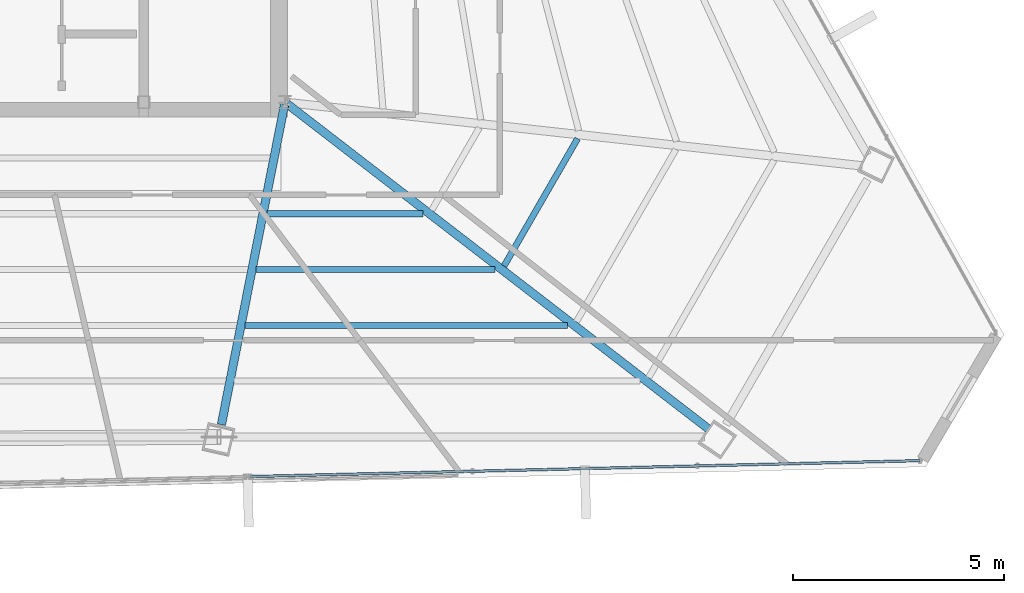
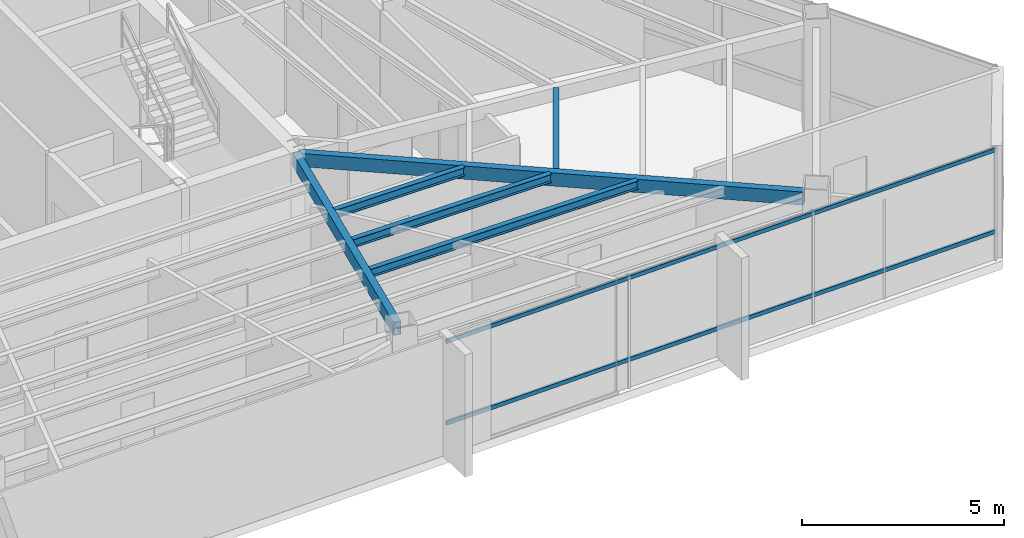
# One storey, part 20 of 44: 6 beams, 2 members, 1 element without a shape of its own.
"""IFC4 building model written with IfcOpenShell, lengths in metres."""

from ifc_helpers import new_model, si_unit, direction, frame, origin, origin_2d, place, context, subcontext, project, spatial, hollow_rectangle, i_section, extrude, source, transform, mapped, material, material_profile, profile_set, type_object, type_shapes, element, aggregate, save


model = new_model("IFC4")

# Units and contexts
model_context = context("Model", 3, precision=1e-05, world=origin(), true_north=direction((0.0, 1.0)))
body_context = subcontext(model_context, "Body", "Model", "MODEL_VIEW")
ifc_project = project(units=[si_unit("LENGTHUNIT", "METRE"), si_unit("AREAUNIT", "SQUARE_METRE"), si_unit("VOLUMEUNIT", "CUBIC_METRE"), si_unit("PLANEANGLEUNIT", "RADIAN"), si_unit("MASSUNIT", "GRAM", prefix="KILO")], contexts=[model_context])

# Site, building, storey
site_placement = place(None, origin())
site = spatial("IfcSite", under=ifc_project, at=site_placement, CompositionType="ELEMENT")
building_placement = place(site_placement, origin())
building = spatial("IfcBuilding", under=site, at=building_placement, Name="Caelisora Broadcast Tower", CompositionType="ELEMENT")
storey_placement = place(building_placement, frame((0.0, 0.0, 259.050048828125)))
storey = spatial("IfcBuildingStorey", under=building, at=storey_placement, Name="L68", CompositionType="ELEMENT", Elevation=259.050048828125)

# Beams
ifc_material_1 = material(Name="Steel Grade 350 (AS/NZS 1163 C350L0)", Category="steel")
ifc_material_profile_1 = material_profile(ifc_material_1, hollow_rectangle(XDim=0.199951171875, YDim=0.39990234375, WallThickness=0.012451171875, at=origin_2d()), Name="Steel Grade 350 (AS/NZS 1163 C350L0)")
ifc_profile_set_1 = profile_set([ifc_material_profile_1], Name="Steel Grade 350 (AS/NZS 1163 C350L0)")
beam_type_1 = type_object("IfcBeamType", Name="PG07", PredefinedType="BEAM", material=ifc_profile_set_1)
shared_shape_1 = source(origin(), body_context, "Body", "SweptSolid", [
    extrude(hollow_rectangle(XDim=0.199951171875, YDim=0.39990234375, WallThickness=0.012451171875, at=origin_2d()), origin(), (0.0, 0.0, 1.0), 12.64794921875),
])
beam_1_placement = place(storey_placement, frame((45.547607421875, 17.36328125, 3.199951171875), z_axis=(0.791833996514, -0.610736376815, 0.0), x_axis=(0.610736376815, 0.791833996514, 0.0)))
element("IfcBeam", 1, at=beam_1_placement, inside=storey, type_object=beam_type_1, Name="L68 beam PG07", PredefinedType="BEAM", context=body_context, shape_type="MappedRepresentation", body=[
    mapped(shared_shape_1, transform((0.0, 0.0, 0.0), scale=1.0)),
])
shared_shape_2 = source(origin(), body_context, "Body", "SweptSolid", [
    extrude(hollow_rectangle(XDim=0.199951171875, YDim=0.39990234375, WallThickness=0.012451171875, at=origin_2d()), origin(), (0.0, 0.0, 1.0), 7.73828125),
])
type_shapes(beam_type_1, [shared_shape_1, shared_shape_2])
beam_2_placement = place(storey_placement, frame((45.48828125, 17.341064453125, 3.199951171875), z_axis=(-0.193555117435, -0.981089402916, 0.0), x_axis=(0.981089402916, -0.193555117435, 0.0)))
element("IfcBeam", 2, at=beam_2_placement, inside=storey, type_object=beam_type_1, Name="L68 beam PG07", PredefinedType="BEAM", context=body_context, shape_type="MappedRepresentation", body=[
    mapped(shared_shape_2, transform((0.0, 0.0, 0.0), scale=1.0)),
])
ifc_material_2 = material(Name="Steel Grade 350 (AS/NZS 3679.1)", Category="steel")
ifc_material_profile_2 = material_profile(ifc_material_2, i_section(OverallWidth=0.14599609375, OverallDepth=0.256103515625, WebThickness=0.00634765625, FlangeThickness=0.010986328125, at=origin_2d()), Name="Steel Grade 350 (AS/NZS 3679.1)")
ifc_profile_set_2 = profile_set([ifc_material_profile_2], Name="Steel Grade 350 (AS/NZS 3679.1)")
beam_type_2 = type_object("IfcBeamType", Name="SB04", PredefinedType="JOIST", material=ifc_profile_set_2)
shared_shape_3 = source(origin(), body_context, "Body", "SweptSolid", [
    extrude(i_section(OverallWidth=0.14599609375, OverallDepth=0.256103515625, WebThickness=0.00634765625, FlangeThickness=0.010986328125, at=origin_2d()), origin(), (0.0, 0.0, 1.0), 3.491455078125),
])
beam_3_placement = place(storey_placement, frame((50.6982421875, 13.51318359375, 3.27197265625), z_axis=(0.500027108417, 0.866009752167, 0.0), x_axis=(-0.866009752167, 0.500027108417, 0.0)))
element("IfcBeam", 3, at=beam_3_placement, inside=storey, type_object=beam_type_2, Name="L68 beam SB04", PredefinedType="JOIST", context=body_context, shape_type="MappedRepresentation", body=[
    mapped(shared_shape_3, transform((0.0, 0.0, 0.0), scale=1.0)),
])
shared_shape_4 = source(origin(), body_context, "Body", "SweptSolid", [
    extrude(i_section(OverallWidth=0.14599609375, OverallDepth=0.256103515625, WebThickness=0.00634765625, FlangeThickness=0.010986328125, at=origin_2d()), origin(), (0.0, 0.0, 1.0), 3.69580078125),
])
beam_4_placement = place(storey_placement, frame((45.076416015625, 14.752197265625, 3.27197265625), z_axis=(1.0, 0.0, 0.0), x_axis=(0.0, 1.0, 0.0)))
element("IfcBeam", 4, at=beam_4_placement, inside=storey, type_object=beam_type_2, Name="L68 beam SB04", PredefinedType="JOIST", context=body_context, shape_type="MappedRepresentation", body=[
    mapped(shared_shape_4, transform((0.0, 0.0, 0.0), scale=1.0)),
])
shared_shape_5 = source(origin(), body_context, "Body", "SweptSolid", [
    extrude(i_section(OverallWidth=0.14599609375, OverallDepth=0.256103515625, WebThickness=0.00634765625, FlangeThickness=0.010986328125, at=origin_2d()), origin(), (0.0, 0.0, 1.0), 5.67333984375),
])
beam_5_placement = place(storey_placement, frame((44.815185546875, 13.42822265625, 3.27197265625), z_axis=(1.0, 0.0, 0.0), x_axis=(0.0, 1.0, 0.0)))
element("IfcBeam", 5, at=beam_5_placement, inside=storey, type_object=beam_type_2, Name="L68 beam SB04", PredefinedType="JOIST", context=body_context, shape_type="MappedRepresentation", body=[
    mapped(shared_shape_5, transform((0.0, 0.0, 0.0), scale=1.0)),
])
shared_shape_6 = source(origin(), body_context, "Body", "SweptSolid", [
    extrude(i_section(OverallWidth=0.14599609375, OverallDepth=0.256103515625, WebThickness=0.00634765625, FlangeThickness=0.010986328125, at=origin_2d()), origin(), (0.0, 0.0, 1.0), 7.65087890625),
])
type_shapes(beam_type_2, [shared_shape_3, shared_shape_4, shared_shape_5, shared_shape_6])
beam_6_placement = place(storey_placement, frame((44.55419921875, 12.1044921875, 3.27197265625), z_axis=(1.0, 0.0, 0.0), x_axis=(0.0, 1.0, 0.0)))
element("IfcBeam", 6, at=beam_6_placement, inside=storey, type_object=beam_type_2, Name="L68 beam SB04", PredefinedType="JOIST", context=body_context, shape_type="MappedRepresentation", body=[
    mapped(shared_shape_6, transform((0.0, 0.0, 0.0), scale=1.0)),
])

# Curtain wall, members
ifc_material_3 = material(Name="Unitised Aluminium and Low-E Glass Curtain Wall", Category="glass")
curtain_wall_type = type_object("IfcCurtainWallType", Name="CW-Z5", PredefinedType="NOTDEFINED", material=ifc_material_3)
curtain_wall_placement = place(storey_placement, origin())
curtain_wall = element("IfcCurtainWall", 7, at=curtain_wall_placement, inside=storey, type_object=curtain_wall_type, Name="L68 curtain wall CW-Z5", PredefinedType="NOTDEFINED")
ifc_material_4 = material(Name="Aluminium 6063-T6 Anodised Terracotta Bronze", Category="aluminium")
ifc_material_profile_3 = material_profile(ifc_material_4, hollow_rectangle(XDim=0.06005859375, YDim=0.1201171875, WallThickness=0.0029296875, at=origin_2d()), Name="Aluminium 6063-T6 Anodised Terracotta Bronze")
ifc_profile_set_3 = profile_set([ifc_material_profile_3], Name="Aluminium 6063-T6 Anodised Terracotta Bronze")
member_type = type_object("IfcMemberType", Name="CWT-03", PredefinedType="USERDEFINED", material=ifc_profile_set_3)
shared_shape_7 = source(origin(), body_context, "Body", "SweptSolid", [
    extrude(hollow_rectangle(XDim=0.06005859375, YDim=0.1201171875, WallThickness=0.0029296875, at=origin_2d()), origin(), (0.0, 0.0, 1.0), 15.9111328125),
])
type_shapes(member_type, [shared_shape_7])
member_1_placement = place(storey_placement, frame((60.573974609375, 8.893798828125, 0.849853515625), z_axis=(-0.999718236404, -0.023737055464, 0.0), x_axis=(0.023737055464, -0.999718236404, 0.0)))
member_1 = element("IfcMember", 8, at=member_1_placement, type_object=member_type, Name="L68-CW-B05 transom #1", ObjectType="TRANSOM", PredefinedType="USERDEFINED", context=body_context, shape_type="MappedRepresentation", body=[
    mapped(shared_shape_7, transform((0.0, 0.0, 0.0), scale=1.0)),
])
member_2_placement = place(storey_placement, frame((60.573974609375, 8.893798828125, 3.320068359375), z_axis=(-0.999718236404, -0.023737055464, 0.0), x_axis=(0.023737055464, -0.999718236404, 0.0)))
member_2 = element("IfcMember", 9, at=member_2_placement, type_object=member_type, Name="L68-CW-B05 transom #2", ObjectType="TRANSOM", PredefinedType="USERDEFINED", context=body_context, shape_type="MappedRepresentation", body=[
    mapped(shared_shape_7, transform((0.0, 0.0, 0.0), scale=1.0)),
])
aggregate(curtain_wall, [member_1, member_2])

save(model, "model.ifc")
